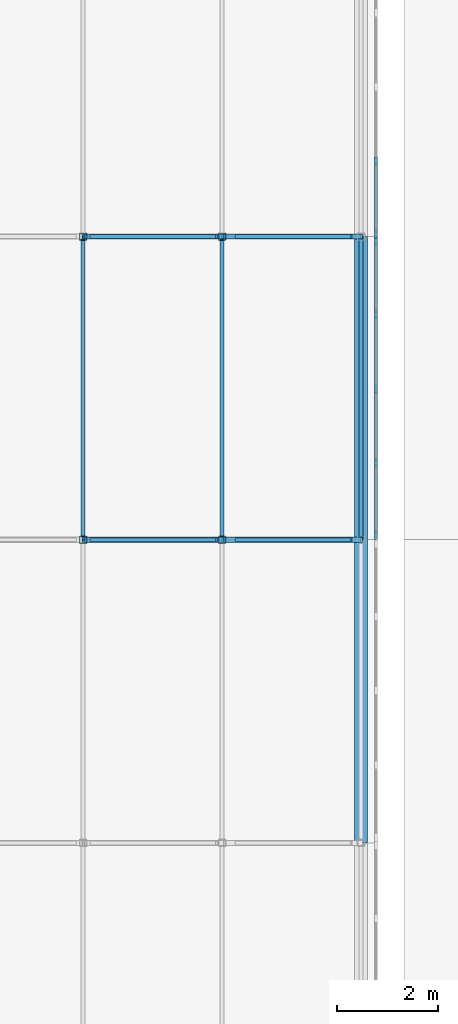
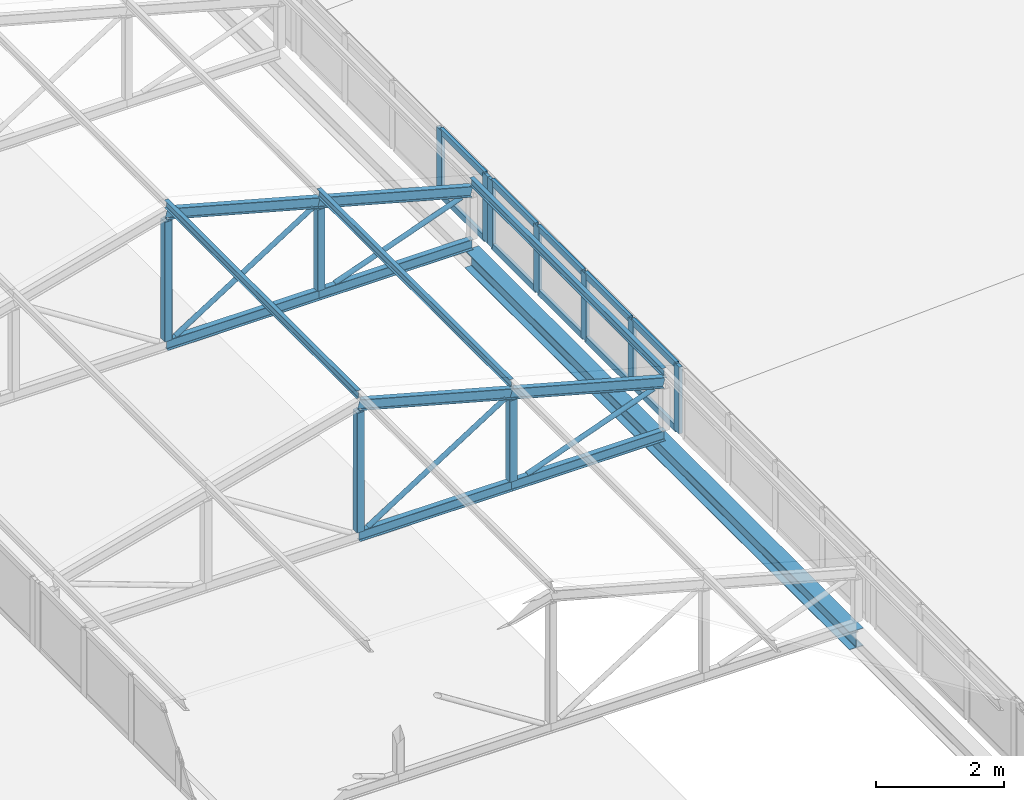
# One storey, part 35 of 94: 36 members, 1 beam, 2 elements without a shape of their own.
"""IFC4 building model written with IfcOpenShell, lengths in metres."""

from ifc_helpers import new_model, si_unit, direction, frame, origin, origin_2d, place, context, subcontext, project, spatial, rectangle, hollow_rectangle, hollow_circle, i_section, extrude, material, layer, layer_set, material_profile, profile_set, type_object, element, aggregate, save


model = new_model("IFC4")

# Units and contexts
model_context = context("Model", 3, precision=1e-05, world=origin(), true_north=direction((0.0, 1.0)))
body_context = subcontext(model_context, "Body", "Model", "MODEL_VIEW")
ifc_project = project(units=[si_unit("LENGTHUNIT", "METRE"), si_unit("AREAUNIT", "SQUARE_METRE"), si_unit("VOLUMEUNIT", "CUBIC_METRE"), si_unit("PLANEANGLEUNIT", "RADIAN"), si_unit("MASSUNIT", "GRAM", prefix="KILO")], contexts=[model_context])

# Site, building, storey
site_placement = place(None, origin())
site = spatial("IfcSite", under=ifc_project, at=site_placement, CompositionType="ELEMENT")
building_placement = place(site_placement, origin())
building = spatial("IfcBuilding", under=site, at=building_placement, Name="Lilac Gate Convention Centre", CompositionType="ELEMENT")
storey_placement = place(building_placement, frame((0.0, 0.0, 21.0)))
storey = spatial("IfcBuildingStorey", under=building, at=storey_placement, Name="L04", CompositionType="ELEMENT", Elevation=21.0)

# Curtain wall, members
ifc_material_1 = material(Name="Aluminium framed double glazing", Category="aluminium")
ifc_layer = layer(ifc_material_1, 0.199951171875)
ifc_layer_set = layer_set([ifc_layer], Name="Aluminium framed double glazing")
curtain_wall_type = type_object("IfcCurtainWallType", Name="Unitised curtain wall 1500", PredefinedType="NOTDEFINED", material=ifc_layer_set)
curtain_wall_1_placement = place(storey_placement, origin())
curtain_wall_1 = element("IfcCurtainWall", 1, at=curtain_wall_1_placement, inside=storey, type_object=curtain_wall_type, Name="Lantern clerestory E 17", PredefinedType="NOTDEFINED")
ifc_material_2 = material(Name="Aluminium alloy 6063", Category="aluminium")
ifc_material_profile_1 = material_profile(ifc_material_2, rectangle(XDim=0.06005859375, YDim=0.159912109375, at=origin_2d()), Name="Curtain wall mullion 60 x 160")
ifc_profile_set_1 = profile_set([ifc_material_profile_1], Name="Aluminium alloy 6063")
member_type_1 = type_object("IfcMemberType", Name="Curtain wall mullion 60 x 160", PredefinedType="MULLION", material=ifc_profile_set_1)
member_1_placement = place(storey_placement, frame((28.89990234375, 126.080078125, 0.0), z_axis=(0.0, 0.0, 1.0), x_axis=(-1.0, 0.0, 0.0)))
member_1 = element("IfcMember", 2, at=member_1_placement, type_object=member_type_1, Name="CW mullion 1", PredefinedType="MULLION", context=body_context, shape_type="SweptSolid", body=[
    extrude(rectangle(XDim=0.06005859375, YDim=0.159912109375, at=origin_2d()), origin(), (0.0, 0.0, 1.0), 1.272216796875),
])
member_2_placement = place(storey_placement, frame((28.89990234375, 127.518798828125, 0.0), z_axis=(0.0, 0.0, 1.0), x_axis=(-1.0, 0.0, 0.0)))
member_2 = element("IfcMember", 3, at=member_2_placement, type_object=member_type_1, Name="CW mullion 2", PredefinedType="MULLION", context=body_context, shape_type="SweptSolid", body=[
    extrude(rectangle(XDim=0.06005859375, YDim=0.159912109375, at=origin_2d()), origin(), (0.0, 0.0, 1.0), 1.272216796875),
])
member_3_placement = place(storey_placement, frame((28.89990234375, 128.987548828125, 0.0), z_axis=(0.0, 0.0, 1.0), x_axis=(-1.0, 0.0, 0.0)))
member_3 = element("IfcMember", 4, at=member_3_placement, type_object=member_type_1, Name="CW mullion 3", PredefinedType="MULLION", context=body_context, shape_type="SweptSolid", body=[
    extrude(rectangle(XDim=0.06005859375, YDim=0.159912109375, at=origin_2d()), origin(), (0.0, 0.0, 1.0), 1.272216796875),
])
member_4_placement = place(storey_placement, frame((28.89990234375, 130.456298828125, 0.0), z_axis=(0.0, 0.0, 1.0), x_axis=(-1.0, 0.0, 0.0)))
member_4 = element("IfcMember", 5, at=member_4_placement, type_object=member_type_1, Name="CW mullion 4", PredefinedType="MULLION", context=body_context, shape_type="SweptSolid", body=[
    extrude(rectangle(XDim=0.06005859375, YDim=0.159912109375, at=origin_2d()), origin(), (0.0, 0.0, 1.0), 1.272216796875),
])
member_5_placement = place(storey_placement, frame((28.89990234375, 131.89501953125, 0.0), z_axis=(0.0, 0.0, 1.0), x_axis=(-1.0, 0.0, 0.0)))
member_5 = element("IfcMember", 6, at=member_5_placement, type_object=member_type_1, Name="CW mullion 5", PredefinedType="MULLION", context=body_context, shape_type="SweptSolid", body=[
    extrude(rectangle(XDim=0.06005859375, YDim=0.159912109375, at=origin_2d()), origin(), (0.0, 0.0, 1.0), 1.272216796875),
])

curtain_wall_2_placement = place(storey_placement, origin())
curtain_wall_2 = element("IfcCurtainWall", 7, at=curtain_wall_2_placement, inside=storey, type_object=curtain_wall_type, Name="Lantern clerestory E 18", PredefinedType="NOTDEFINED")
member_6_placement = place(storey_placement, frame((28.89990234375, 132.054931640625, 0.0), z_axis=(0.0, 0.0, 1.0), x_axis=(-1.0, 0.0, 0.0)))
member_6 = element("IfcMember", 8, at=member_6_placement, type_object=member_type_1, Name="CW mullion 1", PredefinedType="MULLION", context=body_context, shape_type="SweptSolid", body=[
    extrude(rectangle(XDim=0.06005859375, YDim=0.159912109375, at=origin_2d()), origin(), (0.0, 0.0, 1.0), 1.272216796875),
])
member_7_placement = place(storey_placement, frame((28.89990234375, 133.49365234375, 0.0), z_axis=(0.0, 0.0, 1.0), x_axis=(-1.0, 0.0, 0.0)))
member_7 = element("IfcMember", 9, at=member_7_placement, type_object=member_type_1, Name="CW mullion 2", PredefinedType="MULLION", context=body_context, shape_type="SweptSolid", body=[
    extrude(rectangle(XDim=0.06005859375, YDim=0.159912109375, at=origin_2d()), origin(), (0.0, 0.0, 1.0), 1.272216796875),
])

# Member
ifc_material_profile_2 = material_profile(ifc_material_2, rectangle(XDim=0.06005859375, YDim=0.1201171875, at=origin_2d()), Name="Curtain wall transom 60 x 120")
ifc_profile_set_2 = profile_set([ifc_material_profile_2], Name="Aluminium alloy 6063")
member_type_2 = type_object("IfcMemberType", Name="Curtain wall transom 60 x 120", PredefinedType="USERDEFINED", material=ifc_profile_set_2)
member_8_placement = place(storey_placement, frame((28.89990234375, 126.110107421875, 0.030029296875), z_axis=(0.0, 1.0, 0.0), x_axis=(-1.0, 0.0, 0.0)))
member_8 = element("IfcMember", 10, at=member_8_placement, type_object=member_type_2, Name="CW transom 1.1", ObjectType="TRANSOM", PredefinedType="USERDEFINED", context=body_context, shape_type="SweptSolid", body=[
    extrude(rectangle(XDim=0.06005859375, YDim=0.1201171875, at=origin_2d()), origin(), (0.0, 0.0, 1.0), 1.378662109375),
])

member_9_placement = place(storey_placement, frame((28.89990234375, 126.110107421875, 1.2421875), z_axis=(0.0, 1.0, 0.0), x_axis=(-1.0, 0.0, 0.0)))
member_9 = element("IfcMember", 11, at=member_9_placement, type_object=member_type_2, Name="CW transom 1.2", ObjectType="TRANSOM", PredefinedType="USERDEFINED", context=body_context, shape_type="SweptSolid", body=[
    extrude(rectangle(XDim=0.06005859375, YDim=0.1201171875, at=origin_2d()), origin(), (0.0, 0.0, 1.0), 1.378662109375),
])

member_10_placement = place(storey_placement, frame((28.89990234375, 127.548828125, 0.030029296875), z_axis=(0.0, 1.0, 0.0), x_axis=(-1.0, 0.0, 0.0)))
member_10 = element("IfcMember", 12, at=member_10_placement, type_object=member_type_2, Name="CW transom 2.1", ObjectType="TRANSOM", PredefinedType="USERDEFINED", context=body_context, shape_type="SweptSolid", body=[
    extrude(rectangle(XDim=0.06005859375, YDim=0.1201171875, at=origin_2d()), origin(), (0.0, 0.0, 1.0), 1.40869140625),
])

member_11_placement = place(storey_placement, frame((28.89990234375, 127.548828125, 1.2421875), z_axis=(0.0, 1.0, 0.0), x_axis=(-1.0, 0.0, 0.0)))
member_11 = element("IfcMember", 13, at=member_11_placement, type_object=member_type_2, Name="CW transom 2.2", ObjectType="TRANSOM", PredefinedType="USERDEFINED", context=body_context, shape_type="SweptSolid", body=[
    extrude(rectangle(XDim=0.06005859375, YDim=0.1201171875, at=origin_2d()), origin(), (0.0, 0.0, 1.0), 1.40869140625),
])

member_12_placement = place(storey_placement, frame((28.89990234375, 129.017578125, 0.030029296875), z_axis=(0.0, 1.0, 0.0), x_axis=(-1.0, 0.0, 0.0)))
member_12 = element("IfcMember", 14, at=member_12_placement, type_object=member_type_2, Name="CW transom 3.1", ObjectType="TRANSOM", PredefinedType="USERDEFINED", context=body_context, shape_type="SweptSolid", body=[
    extrude(rectangle(XDim=0.06005859375, YDim=0.1201171875, at=origin_2d()), origin(), (0.0, 0.0, 1.0), 1.40869140625),
])

member_13_placement = place(storey_placement, frame((28.89990234375, 129.017578125, 1.2421875), z_axis=(0.0, 1.0, 0.0), x_axis=(-1.0, 0.0, 0.0)))
member_13 = element("IfcMember", 15, at=member_13_placement, type_object=member_type_2, Name="CW transom 3.2", ObjectType="TRANSOM", PredefinedType="USERDEFINED", context=body_context, shape_type="SweptSolid", body=[
    extrude(rectangle(XDim=0.06005859375, YDim=0.1201171875, at=origin_2d()), origin(), (0.0, 0.0, 1.0), 1.40869140625),
])

member_14_placement = place(storey_placement, frame((28.89990234375, 130.486328125, 0.030029296875), z_axis=(0.0, 1.0, 0.0), x_axis=(-1.0, 0.0, 0.0)))
member_14 = element("IfcMember", 16, at=member_14_placement, type_object=member_type_2, Name="CW transom 4.1", ObjectType="TRANSOM", PredefinedType="USERDEFINED", context=body_context, shape_type="SweptSolid", body=[
    extrude(rectangle(XDim=0.06005859375, YDim=0.1201171875, at=origin_2d()), origin(), (0.0, 0.0, 1.0), 1.378662109375),
])

member_15_placement = place(storey_placement, frame((28.89990234375, 130.486328125, 1.2421875), z_axis=(0.0, 1.0, 0.0), x_axis=(-1.0, 0.0, 0.0)))
member_15 = element("IfcMember", 17, at=member_15_placement, type_object=member_type_2, Name="CW transom 4.2", ObjectType="TRANSOM", PredefinedType="USERDEFINED", context=body_context, shape_type="SweptSolid", body=[
    extrude(rectangle(XDim=0.06005859375, YDim=0.1201171875, at=origin_2d()), origin(), (0.0, 0.0, 1.0), 1.378662109375),
])

aggregate(curtain_wall_1, [member_1, member_2, member_3, member_4, member_5, member_8, member_9, member_10, member_11, member_12, member_13, member_14, member_15])

member_16_placement = place(storey_placement, frame((28.89990234375, 132.0849609375, 0.030029296875), z_axis=(0.0, 1.0, 0.0), x_axis=(-1.0, 0.0, 0.0)))
member_16 = element("IfcMember", 18, at=member_16_placement, type_object=member_type_2, Name="CW transom 1.1", ObjectType="TRANSOM", PredefinedType="USERDEFINED", context=body_context, shape_type="SweptSolid", body=[
    extrude(rectangle(XDim=0.06005859375, YDim=0.1201171875, at=origin_2d()), origin(), (0.0, 0.0, 1.0), 1.378662109375),
])

member_17_placement = place(storey_placement, frame((28.89990234375, 132.0849609375, 1.2421875), z_axis=(0.0, 1.0, 0.0), x_axis=(-1.0, 0.0, 0.0)))
member_17 = element("IfcMember", 19, at=member_17_placement, type_object=member_type_2, Name="CW transom 1.2", ObjectType="TRANSOM", PredefinedType="USERDEFINED", context=body_context, shape_type="SweptSolid", body=[
    extrude(rectangle(XDim=0.06005859375, YDim=0.1201171875, at=origin_2d()), origin(), (0.0, 0.0, 1.0), 1.378662109375),
])

aggregate(curtain_wall_2, [member_6, member_7, member_16, member_17])

# Members
ifc_material_3 = material(Name="Steel Q355B", Category="steel")
ifc_material_profile_3 = material_profile(ifc_material_3, i_section(OverallWidth=0.10009765625, OverallDepth=0.199951171875, WebThickness=0.005615234375, FlangeThickness=0.008056640625, FilletRadius=0.008056640625, at=origin_2d()), Name="HN200x100x5.5x8")
ifc_profile_set_3 = profile_set([ifc_material_profile_3], Name="Steel Q355B")
member_type_3 = type_object("IfcMemberType", Name="Lantern bottom chord HN200x100x5.5x8", PredefinedType="CHORD", material=ifc_profile_set_3)
for number, where, z_axis, x_axis, name in (
    (20, (23.10009765625, 126.0, 0.10009765625), (1.0, 0.0, 0.0), (0.0, 1.0, 0.0), "LB1 lantern truss 17 bottom chord 3"),
    (21, (25.85009765625, 126.0, 0.10009765625), (1.0, 0.0, 0.0), (0.0, 1.0, 0.0), "LB1 lantern truss 17 bottom chord 4"),
    (22, (23.10009765625, 132.0, 0.10009765625), (1.0, 0.0, 0.0), (0.0, 1.0, 0.0), "LB1 lantern truss 18 bottom chord 3"),
    (23, (25.85009765625, 132.0, 0.10009765625), (1.0, 0.0, 0.0), (0.0, 1.0, 0.0), "LB1 lantern truss 18 bottom chord 4"),
):
    element("IfcMember", number, at=place(storey_placement, frame(where, z_axis=z_axis, x_axis=x_axis)), inside=storey, type_object=member_type_3, Name=name, PredefinedType="CHORD", context=body_context, shape_type="SweptSolid", body=[
        extrude(i_section(OverallWidth=0.10009765625, OverallDepth=0.199951171875, WebThickness=0.005615234375, FlangeThickness=0.008056640625, FilletRadius=0.008056640625, at=origin_2d()), origin(), (0.0, 0.0, 1.0), 2.75),
    ])
ifc_material_profile_4 = material_profile(ifc_material_3, hollow_circle(Radius=0.04443359375, WallThickness=0.0048828125, at=origin_2d()), Name="CHS88.9x5")
ifc_profile_set_4 = profile_set([ifc_material_profile_4], Name="Steel Q355B")
member_type_4 = type_object("IfcMemberType", Name="Lantern diagonal CHS88.9x5", PredefinedType="BRACE", material=ifc_profile_set_4)
member_18_placement = place(storey_placement, frame((25.74169921875, 126.0, 1.781005859375), z_axis=(-0.843671728148, 0.0, -0.536859399773), x_axis=(0.0, -1.0, 0.0)))
element("IfcMember", 24, at=member_18_placement, inside=storey, type_object=member_type_4, Name="LW1 lantern truss 17 diagonal 3", PredefinedType="BRACE", context=body_context, shape_type="SweptSolid", body=[
    extrude(hollow_circle(Radius=0.04443359375, WallThickness=0.0048828125, at=origin_2d()), origin(), (0.0, 0.0, 1.0), 2.945068359375),
])
member_19_placement = place(storey_placement, frame((28.410400390625, 126.0, 1.031005859375), z_axis=(-0.939793423488, 0.0, -0.341743063087), x_axis=(0.0, -1.0, 0.0)))
element("IfcMember", 25, at=member_19_placement, inside=storey, type_object=member_type_4, Name="LW1 lantern truss 17 diagonal 4", PredefinedType="BRACE", context=body_context, shape_type="SweptSolid", body=[
    extrude(hollow_circle(Radius=0.04443359375, WallThickness=0.0048828125, at=origin_2d()), origin(), (0.0, 0.0, 1.0), 2.431884765625),
])
member_20_placement = place(storey_placement, frame((25.74169921875, 132.0, 1.781005859375), z_axis=(-0.843671728148, 0.0, -0.536859399773), x_axis=(0.0, -1.0, 0.0)))
element("IfcMember", 26, at=member_20_placement, inside=storey, type_object=member_type_4, Name="LW1 lantern truss 18 diagonal 3", PredefinedType="BRACE", context=body_context, shape_type="SweptSolid", body=[
    extrude(hollow_circle(Radius=0.04443359375, WallThickness=0.0048828125, at=origin_2d()), origin(), (0.0, 0.0, 1.0), 2.945068359375),
])
member_21_placement = place(storey_placement, frame((28.410400390625, 132.0, 1.031005859375), z_axis=(-0.939793423488, 0.0, -0.341743063087), x_axis=(0.0, -1.0, 0.0)))
element("IfcMember", 27, at=member_21_placement, inside=storey, type_object=member_type_4, Name="LW1 lantern truss 18 diagonal 4", PredefinedType="BRACE", context=body_context, shape_type="SweptSolid", body=[
    extrude(hollow_circle(Radius=0.04443359375, WallThickness=0.0048828125, at=origin_2d()), origin(), (0.0, 0.0, 1.0), 2.431884765625),
])
ifc_material_profile_5 = material_profile(ifc_material_3, hollow_rectangle(XDim=0.139892578125, YDim=0.139892578125, WallThickness=0.0048828125, InnerFilletRadius=0.0048828125, OuterFilletRadius=0.010009765625, at=origin_2d()), Name="SHS140x140x5")
ifc_profile_set_5 = profile_set([ifc_material_profile_5], Name="Steel Q355B")
member_type_5 = type_object("IfcMemberType", Name="Lantern post SHS140x140x5", PredefinedType="STRUT", material=ifc_profile_set_5)
member_22_placement = place(storey_placement, frame((23.10009765625, 126.0, 0.199951171875), z_axis=(0.0, 0.0, 1.0), x_axis=(1.0, 0.0, 0.0)))
element("IfcMember", 28, at=member_22_placement, inside=storey, type_object=member_type_5, Name="LV1 lantern truss 17 post 3", PredefinedType="STRUT", context=body_context, shape_type="SweptSolid", body=[
    extrude(hollow_rectangle(XDim=0.139892578125, YDim=0.139892578125, WallThickness=0.0048828125, InnerFilletRadius=0.0048828125, OuterFilletRadius=0.010009765625, at=origin_2d()), origin(), (0.0, 0.0, 1.0), 2.277099609375),
])
member_23_placement = place(storey_placement, frame((25.85009765625, 126.0, 0.199951171875), z_axis=(0.0, 0.0, 1.0), x_axis=(1.0, 0.0, 0.0)))
element("IfcMember", 29, at=member_23_placement, inside=storey, type_object=member_type_5, Name="LV1 lantern truss 17 post 4", PredefinedType="STRUT", context=body_context, shape_type="SweptSolid", body=[
    extrude(hollow_rectangle(XDim=0.139892578125, YDim=0.139892578125, WallThickness=0.0048828125, InnerFilletRadius=0.0048828125, OuterFilletRadius=0.010009765625, at=origin_2d()), origin(), (0.0, 0.0, 1.0), 1.546142578125),
])
member_24_placement = place(storey_placement, frame((23.10009765625, 132.0, 0.199951171875), z_axis=(0.0, 0.0, 1.0), x_axis=(1.0, 0.0, 0.0)))
element("IfcMember", 30, at=member_24_placement, inside=storey, type_object=member_type_5, Name="LV1 lantern truss 18 post 3", PredefinedType="STRUT", context=body_context, shape_type="SweptSolid", body=[
    extrude(hollow_rectangle(XDim=0.139892578125, YDim=0.139892578125, WallThickness=0.0048828125, InnerFilletRadius=0.0048828125, OuterFilletRadius=0.010009765625, at=origin_2d()), origin(), (0.0, 0.0, 1.0), 2.277099609375),
])
member_25_placement = place(storey_placement, frame((25.85009765625, 132.0, 0.199951171875), z_axis=(0.0, 0.0, 1.0), x_axis=(1.0, 0.0, 0.0)))
element("IfcMember", 31, at=member_25_placement, inside=storey, type_object=member_type_5, Name="LV1 lantern truss 18 post 4", PredefinedType="STRUT", context=body_context, shape_type="SweptSolid", body=[
    extrude(hollow_rectangle(XDim=0.139892578125, YDim=0.139892578125, WallThickness=0.0048828125, InnerFilletRadius=0.0048828125, OuterFilletRadius=0.010009765625, at=origin_2d()), origin(), (0.0, 0.0, 1.0), 1.546142578125),
])
ifc_material_profile_6 = material_profile(ifc_material_3, i_section(OverallWidth=0.074951171875, OverallDepth=0.14990234375, WebThickness=0.0048828125, FlangeThickness=0.007080078125, FilletRadius=0.008056640625, at=origin_2d()), Name="HN150x75x5x7")
ifc_profile_set_6 = profile_set([ifc_material_profile_6], Name="Steel Q355B")
member_type_6 = type_object("IfcMemberType", Name="Lantern purlin HN150x75x5x7", PredefinedType="PURLIN", material=ifc_profile_set_6)
for number, where, z_axis, x_axis, name in (
    (32, (23.10009765625, 126.0, 2.779052734375), (0.0, 1.0, 0.0), (-1.0, 0.0, 0.0), "LP1 lantern purlin bay 17 line 3"),
    (33, (25.85009765625, 126.0, 2.029052734375), (0.0, 1.0, 0.0), (-1.0, 0.0, 0.0), "LP1 lantern purlin bay 17 line 4"),
    (34, (28.60009765625, 126.0, 1.279052734375), (0.0, 1.0, 0.0), (-1.0, 0.0, 0.0), "LP1 lantern purlin bay 17 line 5"),
):
    element("IfcMember", number, at=place(storey_placement, frame(where, z_axis=z_axis, x_axis=x_axis)), inside=storey, type_object=member_type_6, Name=name, PredefinedType="PURLIN", context=body_context, shape_type="SweptSolid", body=[
        extrude(i_section(OverallWidth=0.074951171875, OverallDepth=0.14990234375, WebThickness=0.0048828125, FlangeThickness=0.007080078125, FilletRadius=0.008056640625, at=origin_2d()), origin(), (0.0, 0.0, 1.0), 6.0),
    ])
ifc_material_profile_7 = material_profile(ifc_material_3, i_section(OverallWidth=0.10009765625, OverallDepth=0.199951171875, WebThickness=0.005615234375, FlangeThickness=0.008056640625, FilletRadius=0.008056640625, at=origin_2d()), Name="HN200x100x5.5x8")
ifc_profile_set_7 = profile_set([ifc_material_profile_7], Name="Steel Q355B")
member_type_7 = type_object("IfcMemberType", Name="Lantern top chord HN200x100x5.5x8", PredefinedType="CHORD", material=ifc_profile_set_7)
for number, where, z_axis, x_axis, name in (
    (35, (23.10009765625, 126.0, 2.60009765625), (0.964763821238, 0.0, -0.263117405792), (0.0, 1.0, 0.0), "LT1 lantern truss 17 top chord 3"),
    (36, (25.85009765625, 126.0, 1.85009765625), (0.964763821238, 0.0, -0.263117405792), (0.0, 1.0, 0.0), "LT1 lantern truss 17 top chord 4"),
    (37, (23.10009765625, 132.0, 2.60009765625), (0.964763821238, 0.0, -0.263117405792), (0.0, 1.0, 0.0), "LT1 lantern truss 18 top chord 3"),
    (38, (25.85009765625, 132.0, 1.85009765625), (0.964763821238, 0.0, -0.263117405792), (0.0, 1.0, 0.0), "LT1 lantern truss 18 top chord 4"),
):
    element("IfcMember", number, at=place(storey_placement, frame(where, z_axis=z_axis, x_axis=x_axis)), inside=storey, type_object=member_type_7, Name=name, PredefinedType="CHORD", context=body_context, shape_type="SweptSolid", body=[
        extrude(i_section(OverallWidth=0.10009765625, OverallDepth=0.199951171875, WebThickness=0.005615234375, FlangeThickness=0.008056640625, FilletRadius=0.008056640625, at=origin_2d()), origin(), (0.0, 0.0, 1.0), 2.850341796875),
    ])

# Beam
ifc_material_profile_8 = material_profile(ifc_material_3, i_section(OverallWidth=0.25, OverallDepth=0.340087890625, WebThickness=0.009033203125, FlangeThickness=0.013916015625, FilletRadius=0.012939453125, at=origin_2d()), Name="HM340x250x9x14")
ifc_profile_set_8 = profile_set([ifc_material_profile_8], Name="Steel Q355B")
beam_type = type_object("IfcBeamType", Name="Steel edge beam HM340x250x9x14", PredefinedType="BEAM", material=ifc_profile_set_8)
beam_placement = place(storey_placement, frame((28.60009765625, 120.0, -0.169921875), z_axis=(0.0, 1.0, 0.0), x_axis=(-1.0, 0.0, 0.0)))
element("IfcBeam", 39, at=beam_placement, inside=storey, type_object=beam_type, Name="LE1 lantern edge beam 9", PredefinedType="BEAM", context=body_context, shape_type="SweptSolid", body=[
    extrude(i_section(OverallWidth=0.25, OverallDepth=0.340087890625, WebThickness=0.009033203125, FlangeThickness=0.013916015625, FilletRadius=0.012939453125, at=origin_2d()), origin(), (0.0, 0.0, 1.0), 12.0),
])

save(model, "model.ifc")
